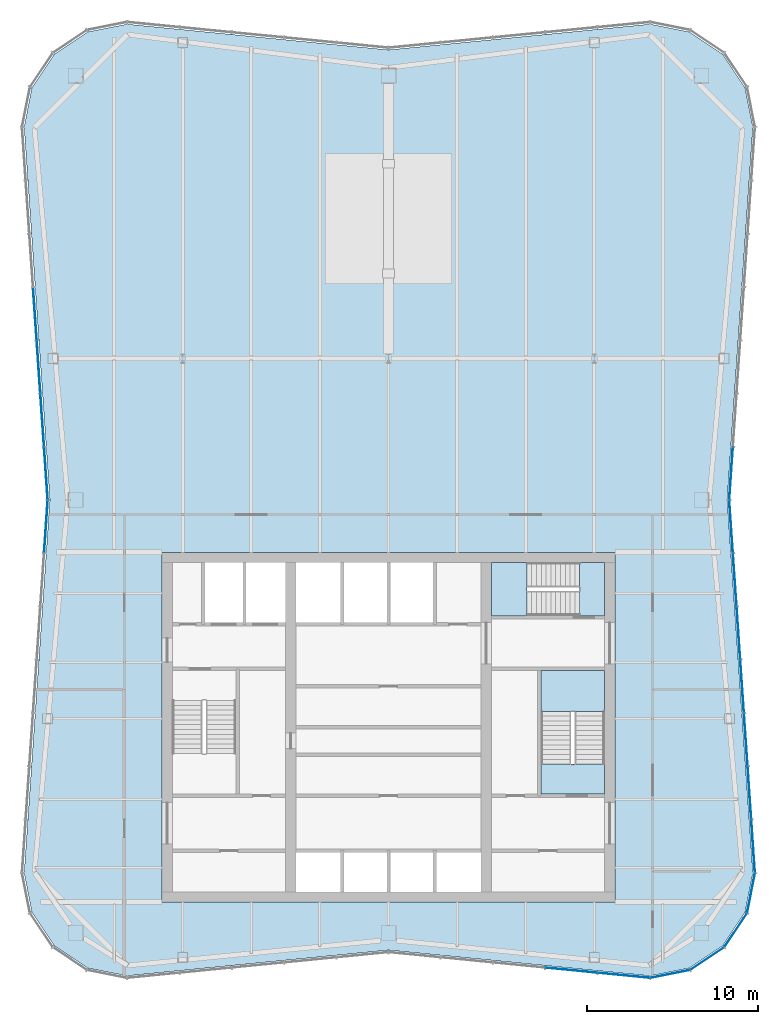
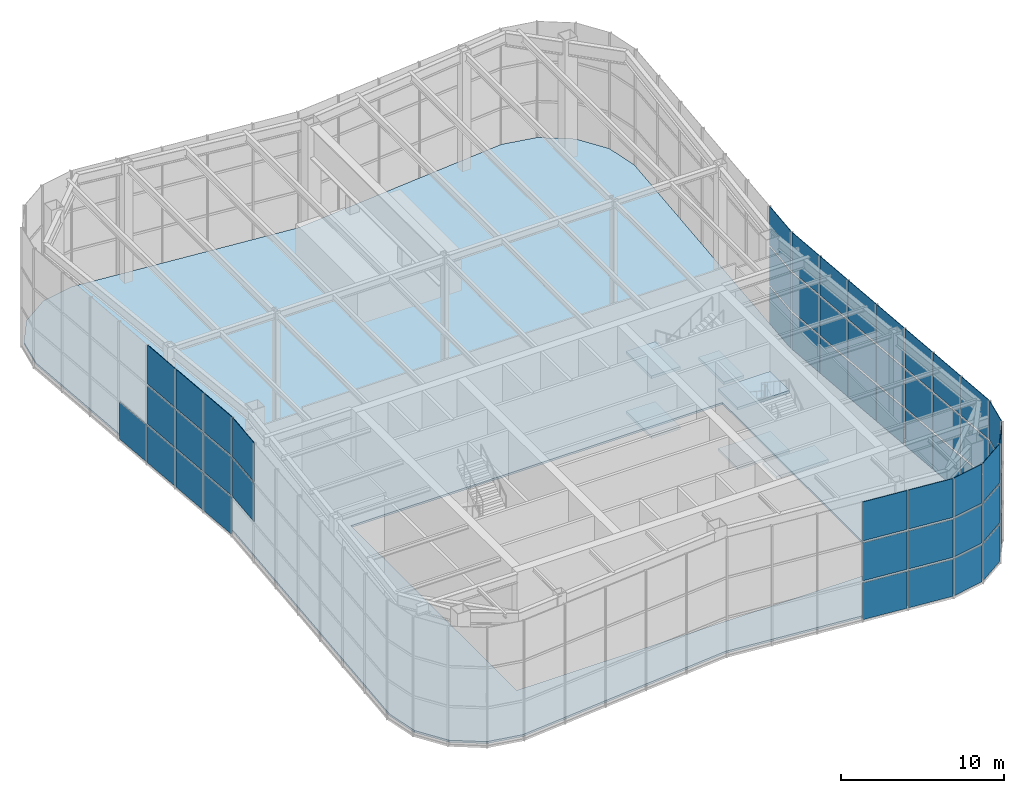
# One storey, part 9 of 16: 54 plates, 7 slabs, 6 elements without a shape of their own.
"""IFC4 building model written with IfcOpenShell, lengths in metres."""

import ifcopenshell
import ifcopenshell.guid

model = None  # the IFC model being written
_history = None  # IfcOwnerHistory: only IFC2X3 demands one
_inside = {}  # id of a spatial element -> (the spatial element, [elements in it])
_under = {}  # id of a project, library or spatial element -> (it, [spatial elements below it])
_declared = {}  # id of a project -> (the project, [libraries it declares])
_typed = {}  # id of a type object -> (the type object, [elements of that type])
_made_of = {}  # id of a material, layer set ... -> (it, [elements and type objects made of it])


def new_model(schema):
    """Start an empty IFC model of exactly this schema.

    Asked for "IFC4X3", IfcOpenShell would pick the latest addendum, in which some entities
    have other attributes; the version numbers below select the first issue.
    IFC2X3 requires an IfcOwnerHistory on every rooted entity: one is made here for all.
    """
    global model, _history
    if schema == "IFC4X3":
        model = ifcopenshell.file(schema_version=(4, 3, 0, 0))
    else:
        model = ifcopenshell.file(schema=schema)
    _inside.clear()
    _under.clear()
    _declared.clear()
    _typed.clear()
    _made_of.clear()
    _history = None
    if model.schema == "IFC2X3":
        org = make("IfcOrganization", Name="unknown")
        user = make(
            "IfcPersonAndOrganization",
            ThePerson=make("IfcPerson", FamilyName="unknown"),
            TheOrganization=org,
        )
        app = make(
            "IfcApplication",
            ApplicationDeveloper=org,
            Version="unknown",
            ApplicationFullName="unknown",
            ApplicationIdentifier="unknown",
        )
        _history = make(
            "IfcOwnerHistory",
            OwningUser=user,
            OwningApplication=app,
            ChangeAction="ADDED",
            CreationDate=0,
        )
    return model


def make(cls, **values):
    """One entity of the class cls with the attributes given. An attribute that is None is left unset."""
    return model.create_entity(
        cls, **{name: value for name, value in values.items() if value is not None}
    )


def rooted(cls, **values):
    """An entity with a GlobalId (a new one), such as an element, a storey or a relation."""
    return make(cls, GlobalId=ifcopenshell.guid.new(), OwnerHistory=_history, **values)


def si_unit(unit_type, name, prefix=None):
    """IfcSIUnit, for example si_unit("LENGTHUNIT", "METRE", prefix="MILLI")."""
    return make("IfcSIUnit", UnitType=unit_type, Prefix=prefix, Name=name)


def assignment(units):
    """IfcUnitAssignment: the units of a project."""
    return None if units is None else make("IfcUnitAssignment", Units=units)


def point(xyz):
    """IfcCartesianPoint."""
    return None if xyz is None else make("IfcCartesianPoint", Coordinates=xyz)


def direction(xyz):
    """IfcDirection."""
    return None if xyz is None else make("IfcDirection", DirectionRatios=xyz)


def frame(location, z_axis=None, x_axis=None):
    """IfcAxis2Placement3D, a coordinate frame: its origin and axes. An axis left out is left unset."""
    return make(
        "IfcAxis2Placement3D",
        Location=point(location),
        Axis=direction(z_axis),
        RefDirection=direction(x_axis),
    )


def frame_2d(location, x_axis=None):
    """IfcAxis2Placement2D, a coordinate frame in the plane: its origin and x axis."""
    return make(
        "IfcAxis2Placement2D", Location=point(location), RefDirection=direction(x_axis)
    )


def origin():
    """The frame at (0, 0, 0) with its axes left unset."""
    return frame((0.0, 0.0, 0.0))


def origin_2d():
    """The frame at (0, 0) in the plane with its x axis left unset."""
    return frame_2d((0.0, 0.0))


def place(relative_to, where):
    """IfcLocalPlacement: puts the frame where relative to a parent placement (None: the world)."""
    return make(
        "IfcLocalPlacement", PlacementRelTo=relative_to, RelativePlacement=where
    )


def context(
    kind, dimensions, precision=None, world=None, true_north=None, identifier=None
):
    """IfcGeometricRepresentationContext, for example the 3D "Model" context."""
    return make(
        "IfcGeometricRepresentationContext",
        ContextIdentifier=identifier,
        ContextType=kind,
        CoordinateSpaceDimension=dimensions,
        Precision=precision,
        WorldCoordinateSystem=world,
        TrueNorth=true_north,
    )


def subcontext(parent, identifier, kind, view, scale=None):
    """IfcGeometricRepresentationSubContext, for example "Body" below "Model"."""
    return make(
        "IfcGeometricRepresentationSubContext",
        ContextIdentifier=identifier,
        ContextType=kind,
        ParentContext=parent,
        TargetScale=scale,
        TargetView=view,
    )


def project(units=None, contexts=None):
    """IfcProject with its units and contexts."""
    return rooted(
        "IfcProject",
        Name="project",
        RepresentationContexts=contexts,
        UnitsInContext=assignment(units),
    )


def spatial(cls, under=None, at=None, **own):
    """A site, building, storey or space (cls), placed at a placement, below another one or the project."""
    s = rooted(cls, ObjectPlacement=at, **own)
    if under is not None:
        _under.setdefault(under.id(), (under, []))[1].append(s)
    return s


def polyline(points):
    """IfcPolyline through the points."""
    return make("IfcPolyline", Points=[point(p) for p in points])


def profile(cls, at=None, kind="AREA", **sizes):
    """A parametric profile (cls). Its sizes go by their IFC names, for example OverallWidth=200.0."""
    return make(cls, ProfileType=kind, Position=at, **sizes)


def rectangle(**sizes):
    """IfcRectangleProfileDef."""
    return profile("IfcRectangleProfileDef", **sizes)


def outline(outer, holes=None, kind="AREA"):
    """IfcArbitraryClosedProfileDef: a profile drawn as a closed curve; with holes, ...WithVoids."""
    if holes is None:
        return make("IfcArbitraryClosedProfileDef", ProfileType=kind, OuterCurve=outer)
    return make(
        "IfcArbitraryProfileDefWithVoids",
        ProfileType=kind,
        OuterCurve=outer,
        InnerCurves=holes,
    )


def extrude(swept, where, along, depth):
    """IfcExtrudedAreaSolid: the profile swept, set in the frame where, extruded along a direction by depth."""
    return make(
        "IfcExtrudedAreaSolid",
        SweptArea=swept,
        Position=where,
        ExtrudedDirection=direction(along),
        Depth=depth,
    )


def shape(context_of_items, identifier, shape_type, items):
    """IfcShapeRepresentation: the items that make up one representation, for example the "Body"."""
    return make(
        "IfcShapeRepresentation",
        ContextOfItems=context_of_items,
        RepresentationIdentifier=identifier,
        RepresentationType=shape_type,
        Items=items,
    )


def material(Name=None, Category=None):
    """IfcMaterial."""
    return make("IfcMaterial", Name=Name, Category=Category)


def layer(
    of_material, thickness, ventilated=None, Name=None, Category=None, Priority=None
):
    """IfcMaterialLayer: one layer of a wall or slab, of a material (None: an air gap)."""
    return make(
        "IfcMaterialLayer",
        Material=of_material,
        LayerThickness=thickness,
        IsVentilated=ventilated,
        Name=Name,
        Category=Category,
        Priority=Priority,
    )


def layer_set(layers, Name=None):
    """IfcMaterialLayerSet."""
    return make("IfcMaterialLayerSet", MaterialLayers=layers, LayerSetName=Name)


def made_of(thing, what):
    """Note that an element or type object is made of a material, layer set ...; save() writes the relation."""
    if what is not None:
        _made_of.setdefault(what.id(), (what, []))[1].append(thing)
    return thing


def type_object(cls, material=None, **own):
    """A type object (cls), such as IfcWallType, which elements share."""
    return made_of(rooted(cls, **own), material)


def element(
    cls,
    number,
    at=None,
    inside=None,
    cuts=None,
    type_object=None,
    material=None,
    context=None,
    identifier="Body",
    shape_type=None,
    held_by="IfcProductDefinitionShape",
    body=None,
    shapes=None,
    **own,
):
    """One element of the class cls, such as IfcWall. Its Tag is "e" and its number.

    at: its placement. inside: the storey or other place that contains it. cuts: it is an
    opening in that element (IfcRelVoidsElement). A single representation is given by context,
    identifier, shape_type and body (its items); several are given by shapes. held_by: the class
    of the entity that holds the representations. save() writes the other relations.
    """
    e = rooted(cls, Tag="e%d" % number, ObjectPlacement=at, **own)
    if body is not None:
        shapes = [shape(context, identifier, shape_type, body)]
    if shapes is not None:
        e.Representation = make(held_by, Representations=shapes)
    if inside is not None:
        _inside.setdefault(inside.id(), (inside, []))[1].append(e)
    if cuts is not None:
        rooted(
            "IfcRelVoidsElement", RelatingBuildingElement=cuts, RelatedOpeningElement=e
        )
    if type_object is not None:
        _typed.setdefault(type_object.id(), (type_object, []))[1].append(e)
    return made_of(e, material)


def aggregate(whole, parts):
    """IfcRelAggregates: a whole, such as a stair, and the parts it consists of."""
    return rooted("IfcRelAggregates", RelatingObject=whole, RelatedObjects=parts)


def save(model, path):
    """Write the relations noted so far, then the file.

    IfcRelAggregates (storeys below a building ...), IfcRelContainedInSpatialStructure (elements
    in a storey), IfcRelDefinesByType, IfcRelAssociatesMaterial and IfcRelDeclares: one each for
    every whole, place, type object, material and project.
    """
    for whole, parts in _under.values():
        aggregate(whole, parts)
    for where, things in _inside.values():
        rooted(
            "IfcRelContainedInSpatialStructure",
            RelatedElements=things,
            RelatingStructure=where,
        )
    for kind, things in _typed.values():
        rooted("IfcRelDefinesByType", RelatedObjects=things, RelatingType=kind)
    for what, things in _made_of.values():
        rooted("IfcRelAssociatesMaterial", RelatedObjects=things, RelatingMaterial=what)
    for by, libraries in _declared.values():
        rooted("IfcRelDeclares", RelatingContext=by, RelatedDefinitions=libraries)
    model.write(path)


model = new_model("IFC4")

# Units and contexts
model_context = context("Model", 3, precision=1e-05, world=origin(), true_north=direction((0.0, 1.0)))
body_context = subcontext(model_context, "Body", "Model", "MODEL_VIEW")
ifc_project = project(units=[si_unit("LENGTHUNIT", "METRE"), si_unit("AREAUNIT", "SQUARE_METRE"), si_unit("VOLUMEUNIT", "CUBIC_METRE"), si_unit("PLANEANGLEUNIT", "RADIAN"), si_unit("MASSUNIT", "GRAM", prefix="KILO")], contexts=[model_context])

# Site, building, storey
site_placement = place(None, origin())
site = spatial("IfcSite", under=ifc_project, at=site_placement, CompositionType="ELEMENT")
building_placement = place(site_placement, origin())
building = spatial("IfcBuilding", under=site, at=building_placement, Name="Verdant Reach Tower", CompositionType="ELEMENT")
storey_placement = place(building_placement, frame((0.0, 0.0, 340.5)))
storey = spatial("IfcBuildingStorey", under=building, at=storey_placement, Name="L78 Damper", CompositionType="ELEMENT", Elevation=340.5)

# Stair, slabs
ifc_material_1 = material(Name="Concrete C40/50", Category="concrete")
stair_type = type_object("IfcStairType", Name="CO-STAIR", PredefinedType="HALF_TURN_STAIR", material=ifc_material_1)
stair_1_placement = place(storey_placement, origin())
stair_1 = element("IfcStair", 1, at=stair_1_placement, inside=storey, type_object=stair_type, Name="L78 Damper Exit stair 2", PredefinedType="HALF_TURN_STAIR")
ifc_layer_1 = layer(ifc_material_1, 0.199951171875)
ifc_layer_set_1 = layer_set([ifc_layer_1], Name="CO-STAIR-LANDING")
slab_type_1 = type_object("IfcSlabType", Name="CO-STAIR-LANDING", PredefinedType="LANDING", material=ifc_layer_set_1)
slab_1_placement = place(storey_placement, frame((0.0, 0.0, 2.050048828125)))
slab_1 = element("IfcSlab", 2, at=slab_1_placement, type_object=slab_type_1, Name="ST-2 landing 1", PredefinedType="LANDING", context=body_context, shape_type="SweptSolid", body=[
    extrude(outline(polyline([(12.60009765625, 28.929931640625), (12.60009765625, 31.300048828125), (8.89990234375, 31.300048828125), (8.89990234375, 28.929931640625), (12.60009765625, 28.929931640625)])), origin(), (0.0, 0.0, 1.0), 0.199951171875),
])
slab_2_placement = place(storey_placement, frame((0.0, 0.0, 4.300048828125)))
slab_2 = element("IfcSlab", 3, at=slab_2_placement, type_object=slab_type_1, Name="ST-2 landing 2", PredefinedType="LANDING", context=body_context, shape_type="SweptSolid", body=[
    extrude(outline(polyline([(12.60009765625, 24.10009765625), (12.60009765625, 25.85009765625), (8.89990234375, 25.85009765625), (8.89990234375, 24.10009765625), (12.60009765625, 24.10009765625)])), origin(), (0.0, 0.0, 1.0), 0.199951171875),
])
slab_3_placement = place(storey_placement, frame((0.0, 0.0, 6.550048828125)))
slab_3 = element("IfcSlab", 4, at=slab_3_placement, type_object=slab_type_1, Name="ST-2 landing 3", PredefinedType="LANDING", context=body_context, shape_type="SweptSolid", body=[
    extrude(outline(polyline([(12.60009765625, 28.929931640625), (12.60009765625, 31.300048828125), (8.89990234375, 31.300048828125), (8.89990234375, 28.929931640625), (12.60009765625, 28.929931640625)])), origin(), (0.0, 0.0, 1.0), 0.199951171875),
])
aggregate(stair_1, [slab_1, slab_2, slab_3])

stair_2_placement = place(storey_placement, origin())
stair_2 = element("IfcStair", 5, at=stair_2_placement, inside=storey, type_object=stair_type, Name="L78 Damper Exit stair 3", PredefinedType="HALF_TURN_STAIR")
slab_4_placement = place(storey_placement, frame((0.0, 0.0, 2.050048828125)))
slab_4 = element("IfcSlab", 6, at=slab_4_placement, type_object=slab_type_1, Name="ST-3 landing 1", PredefinedType="LANDING", context=body_context, shape_type="SweptSolid", body=[
    extrude(outline(polyline([(8.070068359375, 37.60009765625), (6.0, 37.60009765625), (6.0, 34.5), (8.070068359375, 34.5), (8.070068359375, 37.60009765625)])), origin(), (0.0, 0.0, 1.0), 0.199951171875),
])
slab_5_placement = place(storey_placement, frame((0.0, 0.0, 4.300048828125)))
slab_5 = element("IfcSlab", 7, at=slab_5_placement, type_object=slab_type_1, Name="ST-3 landing 2", PredefinedType="LANDING", context=body_context, shape_type="SweptSolid", body=[
    extrude(outline(polyline([(12.60009765625, 37.60009765625), (11.14990234375, 37.60009765625), (11.14990234375, 34.5), (12.60009765625, 34.5), (12.60009765625, 37.60009765625)])), origin(), (0.0, 0.0, 1.0), 0.199951171875),
])
slab_6_placement = place(storey_placement, frame((0.0, 0.0, 6.550048828125)))
slab_6 = element("IfcSlab", 8, at=slab_6_placement, type_object=slab_type_1, Name="ST-3 landing 3", PredefinedType="LANDING", context=body_context, shape_type="SweptSolid", body=[
    extrude(outline(polyline([(8.070068359375, 37.60009765625), (6.0, 37.60009765625), (6.0, 34.5), (8.070068359375, 34.5), (8.070068359375, 37.60009765625)])), origin(), (0.0, 0.0, 1.0), 0.199951171875),
])
aggregate(stair_2, [slab_4, slab_5, slab_6])

# Curtain wall, plates
ifc_material_2 = material(Name="Anodised aluminium", Category="aluminium")
curtain_wall_type = type_object("IfcCurtainWallType", Name="EN-CW SYSTEM CROWN DAMPER", PredefinedType="NOTDEFINED", material=ifc_material_2)
curtain_wall_1_placement = place(storey_placement, origin())
curtain_wall_1 = element("IfcCurtainWall", 9, at=curtain_wall_1_placement, inside=storey, type_object=curtain_wall_type, Name="Curtain wall south-east corner, L78", PredefinedType="NOTDEFINED")
ifc_material_3 = material(Name="Clear laminated glass", Category="glass")
ifc_layer_2 = layer(ifc_material_3, 0.035888671875)
ifc_layer_set_2 = layer_set([ifc_layer_2], Name="EN-PANEL CLEAR")
plate_type = type_object("IfcPlateType", Name="EN-PANEL CLEAR", PredefinedType="CURTAIN_PANEL", material=ifc_layer_set_2)
plate_1_placement = place(storey_placement, frame((16.423828125, 13.614013671875, -0.199951171875), z_axis=(0.0, 0.0, 1.0), x_axis=(0.980705120874, 0.195492879387, 0.0)))
plate_1 = element("IfcPlate", 10, at=plate_1_placement, type_object=plate_type, Name="Glass panel south-east corner 1.1, L78", PredefinedType="CURTAIN_PANEL", context=body_context, shape_type="SweptSolid", body=[
    extrude(rectangle(XDim=2.3056640625, YDim=0.035888671875, at=origin_2d()), origin(), (0.0, 0.0, 1.0), 2.77490234375),
])
plate_2_placement = place(storey_placement, frame((16.423828125, 13.614013671875, 2.724853515625), z_axis=(0.0, 0.0, 1.0), x_axis=(0.980705120874, 0.195492879387, 0.0)))
plate_2 = element("IfcPlate", 11, at=plate_2_placement, type_object=plate_type, Name="Glass panel south-east corner 1.2, L78", PredefinedType="CURTAIN_PANEL", context=body_context, shape_type="SweptSolid", body=[
    extrude(rectangle(XDim=2.3056640625, YDim=0.035888671875, at=origin_2d()), origin(), (0.0, 0.0, 1.0), 2.85009765625),
])
plate_3_placement = place(storey_placement, frame((16.423828125, 13.614013671875, 5.72509765625), z_axis=(0.0, 0.0, 1.0), x_axis=(0.980705120874, 0.195492879387, 0.0)))
plate_3 = element("IfcPlate", 12, at=plate_3_placement, type_object=plate_type, Name="Glass panel south-east corner 1.3, L78", PredefinedType="CURTAIN_PANEL", context=body_context, shape_type="SweptSolid", body=[
    extrude(rectangle(XDim=2.3056640625, YDim=0.035888671875, at=origin_2d()), origin(), (0.0, 0.0, 1.0), 2.925048828125),
])
plate_4_placement = place(storey_placement, frame((18.584228515625, 14.510009765625, -0.199951171875), z_axis=(0.0, 0.0, 1.0), x_axis=(0.83145208321, 0.555596466265, 0.0)))
plate_4 = element("IfcPlate", 13, at=plate_4_placement, type_object=plate_type, Name="Glass panel south-east corner 2.1, L78", PredefinedType="CURTAIN_PANEL", context=body_context, shape_type="SweptSolid", body=[
    extrude(rectangle(XDim=2.3115234375, YDim=0.035888671875, at=origin_2d()), origin(), (0.0, 0.0, 1.0), 2.77490234375),
])
plate_5_placement = place(storey_placement, frame((18.584228515625, 14.510009765625, 2.724853515625), z_axis=(0.0, 0.0, 1.0), x_axis=(0.83145208321, 0.555596466265, 0.0)))
plate_5 = element("IfcPlate", 14, at=plate_5_placement, type_object=plate_type, Name="Glass panel south-east corner 2.2, L78", PredefinedType="CURTAIN_PANEL", context=body_context, shape_type="SweptSolid", body=[
    extrude(rectangle(XDim=2.3115234375, YDim=0.035888671875, at=origin_2d()), origin(), (0.0, 0.0, 1.0), 2.85009765625),
])
plate_6_placement = place(storey_placement, frame((18.584228515625, 14.510009765625, 5.72509765625), z_axis=(0.0, 0.0, 1.0), x_axis=(0.83145208321, 0.555596466265, 0.0)))
plate_6 = element("IfcPlate", 15, at=plate_6_placement, type_object=plate_type, Name="Glass panel south-east corner 2.3, L78", PredefinedType="CURTAIN_PANEL", context=body_context, shape_type="SweptSolid", body=[
    extrude(rectangle(XDim=2.3115234375, YDim=0.035888671875, at=origin_2d()), origin(), (0.0, 0.0, 1.0), 2.925048828125),
])
plate_7_placement = place(storey_placement, frame((20.239990234375, 16.165771484375, -0.199951171875), z_axis=(0.0, 0.0, 1.0), x_axis=(0.555596466265, 0.83145208321, 0.0)))
plate_7 = element("IfcPlate", 16, at=plate_7_placement, type_object=plate_type, Name="Glass panel south-east corner 3.1, L78", PredefinedType="CURTAIN_PANEL", context=body_context, shape_type="SweptSolid", body=[
    extrude(rectangle(XDim=2.3115234375, YDim=0.035888671875, at=origin_2d()), origin(), (0.0, 0.0, 1.0), 2.77490234375),
])
plate_8_placement = place(storey_placement, frame((20.239990234375, 16.165771484375, 2.724853515625), z_axis=(0.0, 0.0, 1.0), x_axis=(0.555596466265, 0.83145208321, 0.0)))
plate_8 = element("IfcPlate", 17, at=plate_8_placement, type_object=plate_type, Name="Glass panel south-east corner 3.2, L78", PredefinedType="CURTAIN_PANEL", context=body_context, shape_type="SweptSolid", body=[
    extrude(rectangle(XDim=2.3115234375, YDim=0.035888671875, at=origin_2d()), origin(), (0.0, 0.0, 1.0), 2.85009765625),
])
plate_9_placement = place(storey_placement, frame((20.239990234375, 16.165771484375, 5.72509765625), z_axis=(0.0, 0.0, 1.0), x_axis=(0.555596466265, 0.83145208321, 0.0)))
plate_9 = element("IfcPlate", 18, at=plate_9_placement, type_object=plate_type, Name="Glass panel south-east corner 3.3, L78", PredefinedType="CURTAIN_PANEL", context=body_context, shape_type="SweptSolid", body=[
    extrude(rectangle(XDim=2.3115234375, YDim=0.035888671875, at=origin_2d()), origin(), (0.0, 0.0, 1.0), 2.925048828125),
])
plate_10_placement = place(storey_placement, frame((21.135986328125, 18.325439453125, -0.199951171875), z_axis=(0.0, 0.0, 1.0), x_axis=(0.195592962334, 0.980685165119, 0.0)))
plate_10 = element("IfcPlate", 19, at=plate_10_placement, type_object=plate_type, Name="Glass panel south-east corner 4.1, L78", PredefinedType="CURTAIN_PANEL", context=body_context, shape_type="SweptSolid", body=[
    extrude(rectangle(XDim=2.303955078125, YDim=0.035888671875, at=origin_2d()), origin(), (0.0, 0.0, 1.0), 2.77490234375),
])
plate_11_placement = place(storey_placement, frame((21.135986328125, 18.325439453125, 2.724853515625), z_axis=(0.0, 0.0, 1.0), x_axis=(0.195592962334, 0.980685165119, 0.0)))
plate_11 = element("IfcPlate", 20, at=plate_11_placement, type_object=plate_type, Name="Glass panel south-east corner 4.2, L78", PredefinedType="CURTAIN_PANEL", context=body_context, shape_type="SweptSolid", body=[
    extrude(rectangle(XDim=2.303955078125, YDim=0.035888671875, at=origin_2d()), origin(), (0.0, 0.0, 1.0), 2.85009765625),
])
plate_12_placement = place(storey_placement, frame((21.135986328125, 18.325439453125, 5.72509765625), z_axis=(0.0, 0.0, 1.0), x_axis=(0.195592962334, 0.980685165119, 0.0)))
plate_12 = element("IfcPlate", 21, at=plate_12_placement, type_object=plate_type, Name="Glass panel south-east corner 4.3, L78", PredefinedType="CURTAIN_PANEL", context=body_context, shape_type="SweptSolid", body=[
    extrude(rectangle(XDim=2.303955078125, YDim=0.035888671875, at=origin_2d()), origin(), (0.0, 0.0, 1.0), 2.925048828125),
])
aggregate(curtain_wall_1, [plate_1, plate_2, plate_3, plate_4, plate_5, plate_6, plate_7, plate_8, plate_9, plate_10, plate_11, plate_12])

curtain_wall_2_placement = place(storey_placement, origin())
curtain_wall_2 = element("IfcCurtainWall", 22, at=curtain_wall_2_placement, inside=storey, type_object=curtain_wall_type, Name="Curtain wall east, L78", PredefinedType="NOTDEFINED")
plate_13_placement = place(storey_placement, frame((21.261474609375, 21.053955078125, -0.199951171875), z_axis=(0.0, 0.0, 1.0), x_axis=(-0.068469163133, 0.997653233193, 0.0)))
plate_13 = element("IfcPlate", 23, at=plate_13_placement, type_object=plate_type, Name="Glass panel east face part 1 1.1, L78", PredefinedType="CURTAIN_PANEL", context=body_context, shape_type="SweptSolid", body=[
    extrude(rectangle(XDim=3.05419921875, YDim=0.035888671875, at=origin_2d()), origin(), (0.0, 0.0, 1.0), 2.77490234375),
])
plate_14_placement = place(storey_placement, frame((21.261474609375, 21.053955078125, 2.724853515625), z_axis=(0.0, 0.0, 1.0), x_axis=(-0.068469163133, 0.997653233193, 0.0)))
plate_14 = element("IfcPlate", 24, at=plate_14_placement, type_object=plate_type, Name="Glass panel east face part 1 1.2, L78", PredefinedType="CURTAIN_PANEL", context=body_context, shape_type="SweptSolid", body=[
    extrude(rectangle(XDim=3.05419921875, YDim=0.035888671875, at=origin_2d()), origin(), (0.0, 0.0, 1.0), 2.85009765625),
])
plate_15_placement = place(storey_placement, frame((21.261474609375, 21.053955078125, 5.72509765625), z_axis=(0.0, 0.0, 1.0), x_axis=(-0.068469163133, 0.997653233193, 0.0)))
plate_15 = element("IfcPlate", 25, at=plate_15_placement, type_object=plate_type, Name="Glass panel east face part 1 1.3, L78", PredefinedType="CURTAIN_PANEL", context=body_context, shape_type="SweptSolid", body=[
    extrude(rectangle(XDim=3.05419921875, YDim=0.035888671875, at=origin_2d()), origin(), (0.0, 0.0, 1.0), 2.925048828125),
])
plate_16_placement = place(storey_placement, frame((21.04736328125, 24.1689453125, -0.199951171875), z_axis=(0.0, 0.0, 1.0), x_axis=(-0.068802091615, 0.997630328423, 0.0)))
plate_16 = element("IfcPlate", 26, at=plate_16_placement, type_object=plate_type, Name="Glass panel east face part 1 2.1, L78", PredefinedType="CURTAIN_PANEL", context=body_context, shape_type="SweptSolid", body=[
    extrude(rectangle(XDim=3.03857421875, YDim=0.035888671875, at=origin_2d()), origin(), (0.0, 0.0, 1.0), 2.77490234375),
])
plate_17_placement = place(storey_placement, frame((21.04736328125, 24.1689453125, 2.724853515625), z_axis=(0.0, 0.0, 1.0), x_axis=(-0.068802091615, 0.997630328423, 0.0)))
plate_17 = element("IfcPlate", 27, at=plate_17_placement, type_object=plate_type, Name="Glass panel east face part 1 2.2, L78", PredefinedType="CURTAIN_PANEL", context=body_context, shape_type="SweptSolid", body=[
    extrude(rectangle(XDim=3.03857421875, YDim=0.035888671875, at=origin_2d()), origin(), (0.0, 0.0, 1.0), 2.85009765625),
])
plate_18_placement = place(storey_placement, frame((21.04736328125, 24.1689453125, 5.72509765625), z_axis=(0.0, 0.0, 1.0), x_axis=(-0.068802091615, 0.997630328423, 0.0)))
plate_18 = element("IfcPlate", 28, at=plate_18_placement, type_object=plate_type, Name="Glass panel east face part 1 2.3, L78", PredefinedType="CURTAIN_PANEL", context=body_context, shape_type="SweptSolid", body=[
    extrude(rectangle(XDim=3.03857421875, YDim=0.035888671875, at=origin_2d()), origin(), (0.0, 0.0, 1.0), 2.925048828125),
])
plate_19_placement = place(storey_placement, frame((20.8330078125, 27.276123046875, -0.199951171875), z_axis=(0.0, 0.0, 1.0), x_axis=(-0.068802091615, 0.997630328423, 0.0)))
plate_19 = element("IfcPlate", 29, at=plate_19_placement, type_object=plate_type, Name="Glass panel east face part 1 3.1, L78", PredefinedType="CURTAIN_PANEL", context=body_context, shape_type="SweptSolid", body=[
    extrude(rectangle(XDim=3.03857421875, YDim=0.035888671875, at=origin_2d()), origin(), (0.0, 0.0, 1.0), 2.77490234375),
])
plate_20_placement = place(storey_placement, frame((20.8330078125, 27.276123046875, 2.724853515625), z_axis=(0.0, 0.0, 1.0), x_axis=(-0.068802091615, 0.997630328423, 0.0)))
plate_20 = element("IfcPlate", 30, at=plate_20_placement, type_object=plate_type, Name="Glass panel east face part 1 3.2, L78", PredefinedType="CURTAIN_PANEL", context=body_context, shape_type="SweptSolid", body=[
    extrude(rectangle(XDim=3.03857421875, YDim=0.035888671875, at=origin_2d()), origin(), (0.0, 0.0, 1.0), 2.85009765625),
])
plate_21_placement = place(storey_placement, frame((20.8330078125, 27.276123046875, 5.72509765625), z_axis=(0.0, 0.0, 1.0), x_axis=(-0.068802091615, 0.997630328423, 0.0)))
plate_21 = element("IfcPlate", 31, at=plate_21_placement, type_object=plate_type, Name="Glass panel east face part 1 3.3, L78", PredefinedType="CURTAIN_PANEL", context=body_context, shape_type="SweptSolid", body=[
    extrude(rectangle(XDim=3.03857421875, YDim=0.035888671875, at=origin_2d()), origin(), (0.0, 0.0, 1.0), 2.925048828125),
])
plate_22_placement = place(storey_placement, frame((20.61865234375, 30.38330078125, -0.199951171875), z_axis=(0.0, 0.0, 1.0), x_axis=(-0.068802091615, 0.997630328423, 0.0)))
plate_22 = element("IfcPlate", 32, at=plate_22_placement, type_object=plate_type, Name="Glass panel east face part 1 4.1, L78", PredefinedType="CURTAIN_PANEL", context=body_context, shape_type="SweptSolid", body=[
    extrude(rectangle(XDim=3.03857421875, YDim=0.035888671875, at=origin_2d()), origin(), (0.0, 0.0, 1.0), 2.77490234375),
])
plate_23_placement = place(storey_placement, frame((20.61865234375, 30.38330078125, 2.724853515625), z_axis=(0.0, 0.0, 1.0), x_axis=(-0.068802091615, 0.997630328423, 0.0)))
plate_23 = element("IfcPlate", 33, at=plate_23_placement, type_object=plate_type, Name="Glass panel east face part 1 4.2, L78", PredefinedType="CURTAIN_PANEL", context=body_context, shape_type="SweptSolid", body=[
    extrude(rectangle(XDim=3.03857421875, YDim=0.035888671875, at=origin_2d()), origin(), (0.0, 0.0, 1.0), 2.85009765625),
])
plate_24_placement = place(storey_placement, frame((20.61865234375, 30.38330078125, 5.72509765625), z_axis=(0.0, 0.0, 1.0), x_axis=(-0.068802091615, 0.997630328423, 0.0)))
plate_24 = element("IfcPlate", 34, at=plate_24_placement, type_object=plate_type, Name="Glass panel east face part 1 4.3, L78", PredefinedType="CURTAIN_PANEL", context=body_context, shape_type="SweptSolid", body=[
    extrude(rectangle(XDim=3.03857421875, YDim=0.035888671875, at=origin_2d()), origin(), (0.0, 0.0, 1.0), 2.925048828125),
])
plate_25_placement = place(storey_placement, frame((20.404541015625, 33.490234375, -0.199951171875), z_axis=(0.0, 0.0, 1.0), x_axis=(-0.068802091615, 0.997630328423, 0.0)))
plate_25 = element("IfcPlate", 35, at=plate_25_placement, type_object=plate_type, Name="Glass panel east face part 1 5.1, L78", PredefinedType="CURTAIN_PANEL", context=body_context, shape_type="SweptSolid", body=[
    extrude(rectangle(XDim=3.03857421875, YDim=0.035888671875, at=origin_2d()), origin(), (0.0, 0.0, 1.0), 2.77490234375),
])
plate_26_placement = place(storey_placement, frame((20.404541015625, 33.490234375, 2.724853515625), z_axis=(0.0, 0.0, 1.0), x_axis=(-0.068802091615, 0.997630328423, 0.0)))
plate_26 = element("IfcPlate", 36, at=plate_26_placement, type_object=plate_type, Name="Glass panel east face part 1 5.2, L78", PredefinedType="CURTAIN_PANEL", context=body_context, shape_type="SweptSolid", body=[
    extrude(rectangle(XDim=3.03857421875, YDim=0.035888671875, at=origin_2d()), origin(), (0.0, 0.0, 1.0), 2.85009765625),
])
plate_27_placement = place(storey_placement, frame((20.404541015625, 33.490234375, 5.72509765625), z_axis=(0.0, 0.0, 1.0), x_axis=(-0.068802091615, 0.997630328423, 0.0)))
plate_27 = element("IfcPlate", 37, at=plate_27_placement, type_object=plate_type, Name="Glass panel east face part 1 5.3, L78", PredefinedType="CURTAIN_PANEL", context=body_context, shape_type="SweptSolid", body=[
    extrude(rectangle(XDim=3.03857421875, YDim=0.035888671875, at=origin_2d()), origin(), (0.0, 0.0, 1.0), 2.925048828125),
])
plate_28_placement = place(storey_placement, frame((20.190185546875, 36.597412109375, -0.199951171875), z_axis=(0.0, 0.0, 1.0), x_axis=(-0.068802091615, 0.997630328423, 0.0)))
plate_28 = element("IfcPlate", 38, at=plate_28_placement, type_object=plate_type, Name="Glass panel east face part 1 6.1, L78", PredefinedType="CURTAIN_PANEL", context=body_context, shape_type="SweptSolid", body=[
    extrude(rectangle(XDim=3.03857421875, YDim=0.035888671875, at=origin_2d()), origin(), (0.0, 0.0, 1.0), 2.77490234375),
])
plate_29_placement = place(storey_placement, frame((20.190185546875, 36.597412109375, 2.724853515625), z_axis=(0.0, 0.0, 1.0), x_axis=(-0.068802091615, 0.997630328423, 0.0)))
plate_29 = element("IfcPlate", 39, at=plate_29_placement, type_object=plate_type, Name="Glass panel east face part 1 6.2, L78", PredefinedType="CURTAIN_PANEL", context=body_context, shape_type="SweptSolid", body=[
    extrude(rectangle(XDim=3.03857421875, YDim=0.035888671875, at=origin_2d()), origin(), (0.0, 0.0, 1.0), 2.85009765625),
])
plate_30_placement = place(storey_placement, frame((20.190185546875, 36.597412109375, 5.72509765625), z_axis=(0.0, 0.0, 1.0), x_axis=(-0.068802091615, 0.997630328423, 0.0)))
plate_30 = element("IfcPlate", 40, at=plate_30_placement, type_object=plate_type, Name="Glass panel east face part 1 6.3, L78", PredefinedType="CURTAIN_PANEL", context=body_context, shape_type="SweptSolid", body=[
    extrude(rectangle(XDim=3.03857421875, YDim=0.035888671875, at=origin_2d()), origin(), (0.0, 0.0, 1.0), 2.925048828125),
])
plate_31_placement = place(storey_placement, frame((19.97607421875, 39.700439453125, -0.199951171875), z_axis=(0.0, 0.0, 1.0), x_axis=(-0.068892655483, 0.997624078509, 0.0)))
plate_31 = element("IfcPlate", 41, at=plate_31_placement, type_object=plate_type, Name="Glass panel east face part 1 7.1, L78", PredefinedType="CURTAIN_PANEL", context=body_context, shape_type="SweptSolid", body=[
    extrude(rectangle(XDim=3.0302734375, YDim=0.035888671875, at=origin_2d()), origin(), (0.0, 0.0, 1.0), 2.77490234375),
])
plate_32_placement = place(storey_placement, frame((19.97607421875, 39.700439453125, 2.724853515625), z_axis=(0.0, 0.0, 1.0), x_axis=(-0.068892655483, 0.997624078509, 0.0)))
plate_32 = element("IfcPlate", 42, at=plate_32_placement, type_object=plate_type, Name="Glass panel east face part 1 7.2, L78", PredefinedType="CURTAIN_PANEL", context=body_context, shape_type="SweptSolid", body=[
    extrude(rectangle(XDim=3.0302734375, YDim=0.035888671875, at=origin_2d()), origin(), (0.0, 0.0, 1.0), 2.85009765625),
])
plate_33_placement = place(storey_placement, frame((19.97607421875, 39.700439453125, 5.72509765625), z_axis=(0.0, 0.0, 1.0), x_axis=(-0.068892655483, 0.997624078509, 0.0)))
plate_33 = element("IfcPlate", 43, at=plate_33_placement, type_object=plate_type, Name="Glass panel east face part 1 7.3, L78", PredefinedType="CURTAIN_PANEL", context=body_context, shape_type="SweptSolid", body=[
    extrude(rectangle(XDim=3.0302734375, YDim=0.035888671875, at=origin_2d()), origin(), (0.0, 0.0, 1.0), 2.925048828125),
])
plate_34_placement = place(storey_placement, frame((19.97607421875, 42.799560546875, -0.199951171875), z_axis=(0.0, 0.0, 1.0), x_axis=(0.068892655483, 0.997624078509, 0.0)))
plate_34 = element("IfcPlate", 44, at=plate_34_placement, type_object=plate_type, Name="Glass panel east face part 2 1.1, L78", PredefinedType="CURTAIN_PANEL", context=body_context, shape_type="SweptSolid", body=[
    extrude(rectangle(XDim=3.0302734375, YDim=0.035888671875, at=origin_2d()), origin(), (0.0, 0.0, 1.0), 2.77490234375),
])
plate_35_placement = place(storey_placement, frame((19.97607421875, 42.799560546875, 2.724853515625), z_axis=(0.0, 0.0, 1.0), x_axis=(0.068892655483, 0.997624078509, 0.0)))
plate_35 = element("IfcPlate", 45, at=plate_35_placement, type_object=plate_type, Name="Glass panel east face part 2 1.2, L78", PredefinedType="CURTAIN_PANEL", context=body_context, shape_type="SweptSolid", body=[
    extrude(rectangle(XDim=3.0302734375, YDim=0.035888671875, at=origin_2d()), origin(), (0.0, 0.0, 1.0), 2.85009765625),
])
plate_36_placement = place(storey_placement, frame((19.97607421875, 42.799560546875, 5.72509765625), z_axis=(0.0, 0.0, 1.0), x_axis=(0.068892655483, 0.997624078509, 0.0)))
plate_36 = element("IfcPlate", 46, at=plate_36_placement, type_object=plate_type, Name="Glass panel east face part 2 1.3, L78", PredefinedType="CURTAIN_PANEL", context=body_context, shape_type="SweptSolid", body=[
    extrude(rectangle(XDim=3.0302734375, YDim=0.035888671875, at=origin_2d()), origin(), (0.0, 0.0, 1.0), 2.925048828125),
])
aggregate(curtain_wall_2, [plate_13, plate_14, plate_15, plate_16, plate_17, plate_18, plate_19, plate_20, plate_21, plate_22, plate_23, plate_24, plate_25, plate_26, plate_27, plate_28, plate_29, plate_30, plate_31, plate_32, plate_33, plate_34, plate_35, plate_36])

curtain_wall_3_placement = place(storey_placement, origin())
curtain_wall_3 = element("IfcCurtainWall", 47, at=curtain_wall_3_placement, inside=storey, type_object=curtain_wall_type, Name="Curtain wall west, L78", PredefinedType="NOTDEFINED")
plate_37_placement = place(storey_placement, frame((-20.61865234375, 52.11669921875, -0.199951171875), z_axis=(0.0, 0.0, 1.0), x_axis=(0.068802091615, -0.997630328423, 0.0)))
plate_37 = element("IfcPlate", 48, at=plate_37_placement, type_object=plate_type, Name="Glass panel west face part 1 4.1, L78", PredefinedType="CURTAIN_PANEL", context=body_context, shape_type="SweptSolid", body=[
    extrude(rectangle(XDim=3.03857421875, YDim=0.035888671875, at=origin_2d()), origin(), (0.0, 0.0, 1.0), 2.77490234375),
])
plate_38_placement = place(storey_placement, frame((-20.404541015625, 49.009765625, -0.199951171875), z_axis=(0.0, 0.0, 1.0), x_axis=(0.068802091615, -0.997630328423, 0.0)))
plate_38 = element("IfcPlate", 49, at=plate_38_placement, type_object=plate_type, Name="Glass panel west face part 1 5.1, L78", PredefinedType="CURTAIN_PANEL", context=body_context, shape_type="SweptSolid", body=[
    extrude(rectangle(XDim=3.03857421875, YDim=0.035888671875, at=origin_2d()), origin(), (0.0, 0.0, 1.0), 2.77490234375),
])
plate_39_placement = place(storey_placement, frame((-20.404541015625, 49.009765625, 2.724853515625), z_axis=(0.0, 0.0, 1.0), x_axis=(0.068802091615, -0.997630328423, 0.0)))
plate_39 = element("IfcPlate", 50, at=plate_39_placement, type_object=plate_type, Name="Glass panel west face part 1 5.2, L78", PredefinedType="CURTAIN_PANEL", context=body_context, shape_type="SweptSolid", body=[
    extrude(rectangle(XDim=3.03857421875, YDim=0.035888671875, at=origin_2d()), origin(), (0.0, 0.0, 1.0), 2.85009765625),
])
plate_40_placement = place(storey_placement, frame((-20.404541015625, 49.009765625, 5.72509765625), z_axis=(0.0, 0.0, 1.0), x_axis=(0.068802091615, -0.997630328423, 0.0)))
plate_40 = element("IfcPlate", 51, at=plate_40_placement, type_object=plate_type, Name="Glass panel west face part 1 5.3, L78", PredefinedType="CURTAIN_PANEL", context=body_context, shape_type="SweptSolid", body=[
    extrude(rectangle(XDim=3.03857421875, YDim=0.035888671875, at=origin_2d()), origin(), (0.0, 0.0, 1.0), 2.925048828125),
])
plate_41_placement = place(storey_placement, frame((-20.190185546875, 45.902587890625, -0.199951171875), z_axis=(0.0, 0.0, 1.0), x_axis=(0.068802091615, -0.997630328423, 0.0)))
plate_41 = element("IfcPlate", 52, at=plate_41_placement, type_object=plate_type, Name="Glass panel west face part 1 6.1, L78", PredefinedType="CURTAIN_PANEL", context=body_context, shape_type="SweptSolid", body=[
    extrude(rectangle(XDim=3.03857421875, YDim=0.035888671875, at=origin_2d()), origin(), (0.0, 0.0, 1.0), 2.77490234375),
])
plate_42_placement = place(storey_placement, frame((-20.190185546875, 45.902587890625, 2.724853515625), z_axis=(0.0, 0.0, 1.0), x_axis=(0.068802091615, -0.997630328423, 0.0)))
plate_42 = element("IfcPlate", 53, at=plate_42_placement, type_object=plate_type, Name="Glass panel west face part 1 6.2, L78", PredefinedType="CURTAIN_PANEL", context=body_context, shape_type="SweptSolid", body=[
    extrude(rectangle(XDim=3.03857421875, YDim=0.035888671875, at=origin_2d()), origin(), (0.0, 0.0, 1.0), 2.85009765625),
])
plate_43_placement = place(storey_placement, frame((-20.190185546875, 45.902587890625, 5.72509765625), z_axis=(0.0, 0.0, 1.0), x_axis=(0.068802091615, -0.997630328423, 0.0)))
plate_43 = element("IfcPlate", 54, at=plate_43_placement, type_object=plate_type, Name="Glass panel west face part 1 6.3, L78", PredefinedType="CURTAIN_PANEL", context=body_context, shape_type="SweptSolid", body=[
    extrude(rectangle(XDim=3.03857421875, YDim=0.035888671875, at=origin_2d()), origin(), (0.0, 0.0, 1.0), 2.925048828125),
])
plate_44_placement = place(storey_placement, frame((-19.97607421875, 42.799560546875, -0.199951171875), z_axis=(0.0, 0.0, 1.0), x_axis=(0.068892655483, -0.997624078509, 0.0)))
plate_44 = element("IfcPlate", 55, at=plate_44_placement, type_object=plate_type, Name="Glass panel west face part 1 7.1, L78", PredefinedType="CURTAIN_PANEL", context=body_context, shape_type="SweptSolid", body=[
    extrude(rectangle(XDim=3.0302734375, YDim=0.035888671875, at=origin_2d()), origin(), (0.0, 0.0, 1.0), 2.77490234375),
])
plate_45_placement = place(storey_placement, frame((-19.97607421875, 42.799560546875, 2.724853515625), z_axis=(0.0, 0.0, 1.0), x_axis=(0.068892655483, -0.997624078509, 0.0)))
plate_45 = element("IfcPlate", 56, at=plate_45_placement, type_object=plate_type, Name="Glass panel west face part 1 7.2, L78", PredefinedType="CURTAIN_PANEL", context=body_context, shape_type="SweptSolid", body=[
    extrude(rectangle(XDim=3.0302734375, YDim=0.035888671875, at=origin_2d()), origin(), (0.0, 0.0, 1.0), 2.85009765625),
])
plate_46_placement = place(storey_placement, frame((-19.97607421875, 42.799560546875, 5.72509765625), z_axis=(0.0, 0.0, 1.0), x_axis=(0.068892655483, -0.997624078509, 0.0)))
plate_46 = element("IfcPlate", 57, at=plate_46_placement, type_object=plate_type, Name="Glass panel west face part 1 7.3, L78", PredefinedType="CURTAIN_PANEL", context=body_context, shape_type="SweptSolid", body=[
    extrude(rectangle(XDim=3.0302734375, YDim=0.035888671875, at=origin_2d()), origin(), (0.0, 0.0, 1.0), 2.925048828125),
])
plate_47_placement = place(storey_placement, frame((-19.97607421875, 39.700439453125, 2.724853515625), z_axis=(0.0, 0.0, 1.0), x_axis=(-0.068892655483, -0.997624078509, 0.0)))
plate_47 = element("IfcPlate", 58, at=plate_47_placement, type_object=plate_type, Name="Glass panel west face part 2 1.2, L78", PredefinedType="CURTAIN_PANEL", context=body_context, shape_type="SweptSolid", body=[
    extrude(rectangle(XDim=3.0302734375, YDim=0.035888671875, at=origin_2d()), origin(), (0.0, 0.0, 1.0), 2.85009765625),
])
plate_48_placement = place(storey_placement, frame((-19.97607421875, 39.700439453125, 5.72509765625), z_axis=(0.0, 0.0, 1.0), x_axis=(-0.068892655483, -0.997624078509, 0.0)))
plate_48 = element("IfcPlate", 59, at=plate_48_placement, type_object=plate_type, Name="Glass panel west face part 2 1.3, L78", PredefinedType="CURTAIN_PANEL", context=body_context, shape_type="SweptSolid", body=[
    extrude(rectangle(XDim=3.0302734375, YDim=0.035888671875, at=origin_2d()), origin(), (0.0, 0.0, 1.0), 2.925048828125),
])
aggregate(curtain_wall_3, [plate_37, plate_38, plate_39, plate_40, plate_41, plate_42, plate_43, plate_44, plate_45, plate_46, plate_47, plate_48])

curtain_wall_4_placement = place(storey_placement, origin())
curtain_wall_4 = element("IfcCurtainWall", 60, at=curtain_wall_4_placement, inside=storey, type_object=curtain_wall_type, Name="Curtain wall south, L78", PredefinedType="NOTDEFINED")
plate_49_placement = place(storey_placement, frame((10.663330078125, 13.83154296875, -0.199951171875), z_axis=(0.0, 0.0, 1.0), x_axis=(0.995197410875, -0.09788826992, 0.0)))
plate_49 = element("IfcPlate", 61, at=plate_49_placement, type_object=plate_type, Name="Glass panel south face part 2 4.1, L78", PredefinedType="CURTAIN_PANEL", context=body_context, shape_type="SweptSolid", body=[
    extrude(rectangle(XDim=2.98876953125, YDim=0.035888671875, at=origin_2d()), origin(), (0.0, 0.0, 1.0), 2.77490234375),
])
plate_50_placement = place(storey_placement, frame((10.663330078125, 13.83154296875, 2.724853515625), z_axis=(0.0, 0.0, 1.0), x_axis=(0.995197410875, -0.09788826992, 0.0)))
plate_50 = element("IfcPlate", 62, at=plate_50_placement, type_object=plate_type, Name="Glass panel south face part 2 4.2, L78", PredefinedType="CURTAIN_PANEL", context=body_context, shape_type="SweptSolid", body=[
    extrude(rectangle(XDim=2.98876953125, YDim=0.035888671875, at=origin_2d()), origin(), (0.0, 0.0, 1.0), 2.85009765625),
])
plate_51_placement = place(storey_placement, frame((10.663330078125, 13.83154296875, 5.72509765625), z_axis=(0.0, 0.0, 1.0), x_axis=(0.995197410875, -0.09788826992, 0.0)))
plate_51 = element("IfcPlate", 63, at=plate_51_placement, type_object=plate_type, Name="Glass panel south face part 2 4.3, L78", PredefinedType="CURTAIN_PANEL", context=body_context, shape_type="SweptSolid", body=[
    extrude(rectangle(XDim=2.98876953125, YDim=0.035888671875, at=origin_2d()), origin(), (0.0, 0.0, 1.0), 2.925048828125),
])
plate_52_placement = place(storey_placement, frame((13.72216796875, 13.53125, -0.199951171875), z_axis=(0.0, 0.0, 1.0), x_axis=(0.995238191716, -0.097472774402, 0.0)))
plate_52 = element("IfcPlate", 64, at=plate_52_placement, type_object=plate_type, Name="Glass panel south face part 2 5.1, L78", PredefinedType="CURTAIN_PANEL", context=body_context, shape_type="SweptSolid", body=[
    extrude(rectangle(XDim=3.006103515625, YDim=0.035888671875, at=origin_2d()), origin(), (0.0, 0.0, 1.0), 2.77490234375),
])
plate_53_placement = place(storey_placement, frame((13.72216796875, 13.53125, 2.724853515625), z_axis=(0.0, 0.0, 1.0), x_axis=(0.995238191716, -0.097472774402, 0.0)))
plate_53 = element("IfcPlate", 65, at=plate_53_placement, type_object=plate_type, Name="Glass panel south face part 2 5.2, L78", PredefinedType="CURTAIN_PANEL", context=body_context, shape_type="SweptSolid", body=[
    extrude(rectangle(XDim=3.006103515625, YDim=0.035888671875, at=origin_2d()), origin(), (0.0, 0.0, 1.0), 2.85009765625),
])
plate_54_placement = place(storey_placement, frame((13.72216796875, 13.53125, 5.72509765625), z_axis=(0.0, 0.0, 1.0), x_axis=(0.995238191716, -0.097472774402, 0.0)))
plate_54 = element("IfcPlate", 66, at=plate_54_placement, type_object=plate_type, Name="Glass panel south face part 2 5.3, L78", PredefinedType="CURTAIN_PANEL", context=body_context, shape_type="SweptSolid", body=[
    extrude(rectangle(XDim=3.006103515625, YDim=0.035888671875, at=origin_2d()), origin(), (0.0, 0.0, 1.0), 2.925048828125),
])
aggregate(curtain_wall_4, [plate_49, plate_50, plate_51, plate_52, plate_53, plate_54])

# Slab
ifc_material_4 = material(Name="Concrete C35/45", Category="concrete")
ifc_layer_3 = layer(ifc_material_4, 0.14990234375)
ifc_layer_set_3 = layer_set([ifc_layer_3], Name="ST-SLAB-150")
slab_type_2 = type_object("IfcSlabType", Name="ST-SLAB-150", PredefinedType="FLOOR", material=ifc_layer_set_3)
slab_7_placement = place(storey_placement, frame((0.0, 0.0, -0.14990234375)))
element("IfcSlab", 67, at=slab_7_placement, inside=storey, type_object=slab_type_2, Name="Floor slab L78 Damper", PredefinedType="FLOOR", context=body_context, shape_type="SweptSolid", body=[
    extrude(outline(polyline([(0.0, 15.0), (-15.25, 13.5), (-17.546142578125, 13.956787109375), (-19.49267578125, 15.25732421875), (-20.793212890625, 17.203857421875), (-21.25, 19.5), (-19.75, 41.25), (-21.25, 63.0), (-20.793212890625, 65.296142578125), (-19.49267578125, 67.24267578125), (-17.546142578125, 68.543212890625), (-15.25, 69.0), (0.0, 67.5), (15.25, 69.0), (17.546142578125, 68.543212890625), (19.49267578125, 67.24267578125), (20.793212890625, 65.296142578125), (21.25, 63.0), (19.75, 41.25), (21.25, 19.5), (20.793212890625, 17.203857421875), (19.49267578125, 15.25732421875), (17.546142578125, 13.956787109375), (15.25, 13.5), (0.0, 15.0)]), holes=[polyline([(13.199951171875, 38.199951171875), (-13.199951171875, 38.199951171875), (-13.199951171875, 17.800048828125), (13.199951171875, 17.800048828125), (13.199951171875, 38.199951171875)])]), origin(), (0.0, 0.0, 1.0), 0.14990234375),
])

save(model, "model.ifc")
